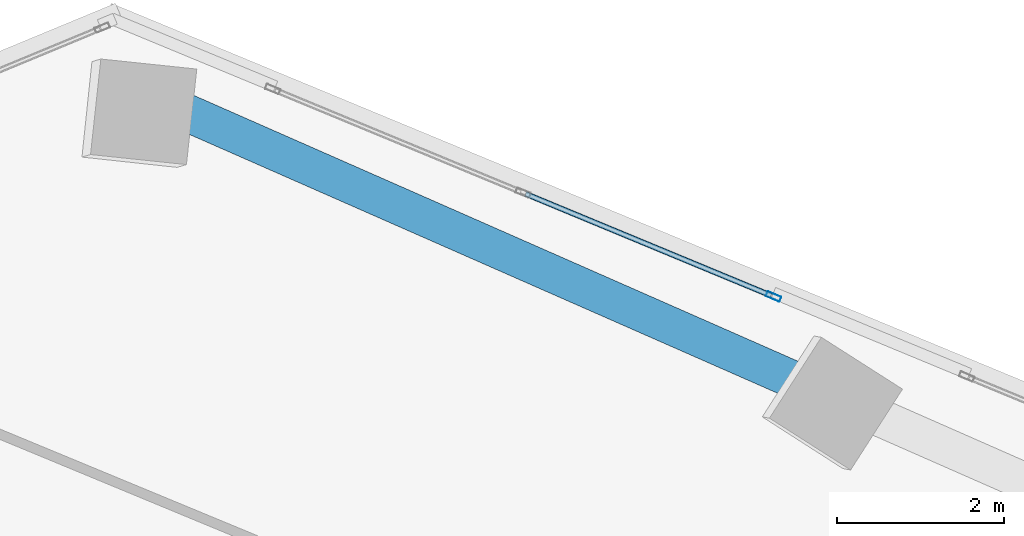
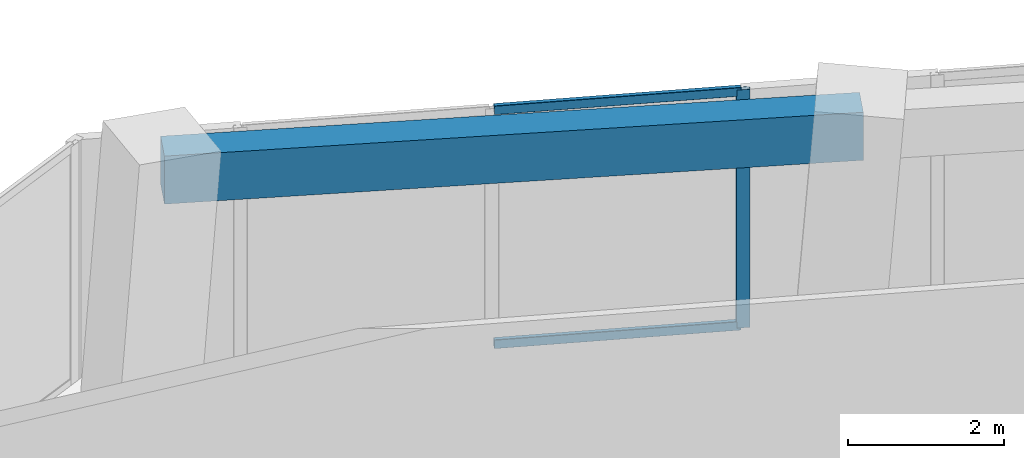
# One storey, part 13 of 23: 3 members, 1 beam, 1 element without a shape of its own.
"""IFC4 building model written with IfcOpenShell, lengths in metres."""

import ifcopenshell
import ifcopenshell.guid

model = None  # the IFC model being written
_history = None  # IfcOwnerHistory: only IFC2X3 demands one
_inside = {}  # id of a spatial element -> (the spatial element, [elements in it])
_under = {}  # id of a project, library or spatial element -> (it, [spatial elements below it])
_declared = {}  # id of a project -> (the project, [libraries it declares])
_typed = {}  # id of a type object -> (the type object, [elements of that type])
_made_of = {}  # id of a material, layer set ... -> (it, [elements and type objects made of it])


def new_model(schema):
    """Start an empty IFC model of exactly this schema.

    Asked for "IFC4X3", IfcOpenShell would pick the latest addendum, in which some entities
    have other attributes; the version numbers below select the first issue.
    IFC2X3 requires an IfcOwnerHistory on every rooted entity: one is made here for all.
    """
    global model, _history
    if schema == "IFC4X3":
        model = ifcopenshell.file(schema_version=(4, 3, 0, 0))
    else:
        model = ifcopenshell.file(schema=schema)
    _inside.clear()
    _under.clear()
    _declared.clear()
    _typed.clear()
    _made_of.clear()
    _history = None
    if model.schema == "IFC2X3":
        org = make("IfcOrganization", Name="unknown")
        user = make(
            "IfcPersonAndOrganization",
            ThePerson=make("IfcPerson", FamilyName="unknown"),
            TheOrganization=org,
        )
        app = make(
            "IfcApplication",
            ApplicationDeveloper=org,
            Version="unknown",
            ApplicationFullName="unknown",
            ApplicationIdentifier="unknown",
        )
        _history = make(
            "IfcOwnerHistory",
            OwningUser=user,
            OwningApplication=app,
            ChangeAction="ADDED",
            CreationDate=0,
        )
    return model


def make(cls, **values):
    """One entity of the class cls with the attributes given. An attribute that is None is left unset."""
    return model.create_entity(
        cls, **{name: value for name, value in values.items() if value is not None}
    )


def rooted(cls, **values):
    """An entity with a GlobalId (a new one), such as an element, a storey or a relation."""
    return make(cls, GlobalId=ifcopenshell.guid.new(), OwnerHistory=_history, **values)


def si_unit(unit_type, name, prefix=None):
    """IfcSIUnit, for example si_unit("LENGTHUNIT", "METRE", prefix="MILLI")."""
    return make("IfcSIUnit", UnitType=unit_type, Prefix=prefix, Name=name)


def assignment(units):
    """IfcUnitAssignment: the units of a project."""
    return None if units is None else make("IfcUnitAssignment", Units=units)


def point(xyz):
    """IfcCartesianPoint."""
    return None if xyz is None else make("IfcCartesianPoint", Coordinates=xyz)


def direction(xyz):
    """IfcDirection."""
    return None if xyz is None else make("IfcDirection", DirectionRatios=xyz)


def frame(location, z_axis=None, x_axis=None):
    """IfcAxis2Placement3D, a coordinate frame: its origin and axes. An axis left out is left unset."""
    return make(
        "IfcAxis2Placement3D",
        Location=point(location),
        Axis=direction(z_axis),
        RefDirection=direction(x_axis),
    )


def frame_2d(location, x_axis=None):
    """IfcAxis2Placement2D, a coordinate frame in the plane: its origin and x axis."""
    return make(
        "IfcAxis2Placement2D", Location=point(location), RefDirection=direction(x_axis)
    )


def origin():
    """The frame at (0, 0, 0) with its axes left unset."""
    return frame((0.0, 0.0, 0.0))


def origin_2d():
    """The frame at (0, 0) in the plane with its x axis left unset."""
    return frame_2d((0.0, 0.0))


def place(relative_to, where):
    """IfcLocalPlacement: puts the frame where relative to a parent placement (None: the world)."""
    return make(
        "IfcLocalPlacement", PlacementRelTo=relative_to, RelativePlacement=where
    )


def context(
    kind, dimensions, precision=None, world=None, true_north=None, identifier=None
):
    """IfcGeometricRepresentationContext, for example the 3D "Model" context."""
    return make(
        "IfcGeometricRepresentationContext",
        ContextIdentifier=identifier,
        ContextType=kind,
        CoordinateSpaceDimension=dimensions,
        Precision=precision,
        WorldCoordinateSystem=world,
        TrueNorth=true_north,
    )


def subcontext(parent, identifier, kind, view, scale=None):
    """IfcGeometricRepresentationSubContext, for example "Body" below "Model"."""
    return make(
        "IfcGeometricRepresentationSubContext",
        ContextIdentifier=identifier,
        ContextType=kind,
        ParentContext=parent,
        TargetScale=scale,
        TargetView=view,
    )


def project(units=None, contexts=None):
    """IfcProject with its units and contexts."""
    return rooted(
        "IfcProject",
        Name="project",
        RepresentationContexts=contexts,
        UnitsInContext=assignment(units),
    )


def spatial(cls, under=None, at=None, **own):
    """A site, building, storey or space (cls), placed at a placement, below another one or the project."""
    s = rooted(cls, ObjectPlacement=at, **own)
    if under is not None:
        _under.setdefault(under.id(), (under, []))[1].append(s)
    return s


def profile(cls, at=None, kind="AREA", **sizes):
    """A parametric profile (cls). Its sizes go by their IFC names, for example OverallWidth=200.0."""
    return make(cls, ProfileType=kind, Position=at, **sizes)


def rectangle(**sizes):
    """IfcRectangleProfileDef."""
    return profile("IfcRectangleProfileDef", **sizes)


def hollow_rectangle(**sizes):
    """IfcRectangleHollowProfileDef."""
    return profile("IfcRectangleHollowProfileDef", **sizes)


def extrude(swept, where, along, depth):
    """IfcExtrudedAreaSolid: the profile swept, set in the frame where, extruded along a direction by depth."""
    return make(
        "IfcExtrudedAreaSolid",
        SweptArea=swept,
        Position=where,
        ExtrudedDirection=direction(along),
        Depth=depth,
    )


def shape(context_of_items, identifier, shape_type, items):
    """IfcShapeRepresentation: the items that make up one representation, for example the "Body"."""
    return make(
        "IfcShapeRepresentation",
        ContextOfItems=context_of_items,
        RepresentationIdentifier=identifier,
        RepresentationType=shape_type,
        Items=items,
    )


def source(mapping_origin, context_of_items, identifier, shape_type, items):
    """IfcRepresentationMap: a shape defined once, which mapped items show again and again."""
    return make(
        "IfcRepresentationMap",
        MappingOrigin=mapping_origin,
        MappedRepresentation=shape(context_of_items, identifier, shape_type, items),
    )


def transform(
    local_origin,
    x_axis=None,
    y_axis=None,
    z_axis=None,
    scale=None,
    scale2=None,
    scale3=None,
    uniform=True,
):
    """IfcCartesianTransformationOperator3D, or its non-uniform kind. x_axis, y_axis, z_axis: its Axis1, 2, 3."""
    if uniform:
        return make(
            "IfcCartesianTransformationOperator3D",
            Axis1=direction(x_axis),
            Axis2=direction(y_axis),
            LocalOrigin=point(local_origin),
            Scale=scale,
            Axis3=direction(z_axis),
        )
    return make(
        "IfcCartesianTransformationOperator3DnonUniform",
        Axis1=direction(x_axis),
        Axis2=direction(y_axis),
        LocalOrigin=point(local_origin),
        Scale=scale,
        Axis3=direction(z_axis),
        Scale2=scale2,
        Scale3=scale3,
    )


def mapped(mapping_source, mapping_target):
    """IfcMappedItem: shows the shape of a source again, moved by a transform."""
    return make(
        "IfcMappedItem", MappingSource=mapping_source, MappingTarget=mapping_target
    )


def material(Name=None, Category=None):
    """IfcMaterial."""
    return make("IfcMaterial", Name=Name, Category=Category)


def material_profile(
    of_material, cross_section, Name=None, Category=None, Priority=None
):
    """IfcMaterialProfile: a cross section and its material."""
    return make(
        "IfcMaterialProfile",
        Name=Name,
        Material=of_material,
        Profile=cross_section,
        Priority=Priority,
        Category=Category,
    )


def profile_set(profiles, Name=None, composite=None):
    """IfcMaterialProfileSet."""
    return make(
        "IfcMaterialProfileSet",
        Name=Name,
        MaterialProfiles=profiles,
        CompositeProfile=composite,
    )


def made_of(thing, what):
    """Note that an element or type object is made of a material, layer set ...; save() writes the relation."""
    if what is not None:
        _made_of.setdefault(what.id(), (what, []))[1].append(thing)
    return thing


def type_object(cls, material=None, **own):
    """A type object (cls), such as IfcWallType, which elements share."""
    return made_of(rooted(cls, **own), material)


def element(
    cls,
    number,
    at=None,
    inside=None,
    cuts=None,
    type_object=None,
    material=None,
    context=None,
    identifier="Body",
    shape_type=None,
    held_by="IfcProductDefinitionShape",
    body=None,
    shapes=None,
    **own,
):
    """One element of the class cls, such as IfcWall. Its Tag is "e" and its number.

    at: its placement. inside: the storey or other place that contains it. cuts: it is an
    opening in that element (IfcRelVoidsElement). A single representation is given by context,
    identifier, shape_type and body (its items); several are given by shapes. held_by: the class
    of the entity that holds the representations. save() writes the other relations.
    """
    e = rooted(cls, Tag="e%d" % number, ObjectPlacement=at, **own)
    if body is not None:
        shapes = [shape(context, identifier, shape_type, body)]
    if shapes is not None:
        e.Representation = make(held_by, Representations=shapes)
    if inside is not None:
        _inside.setdefault(inside.id(), (inside, []))[1].append(e)
    if cuts is not None:
        rooted(
            "IfcRelVoidsElement", RelatingBuildingElement=cuts, RelatedOpeningElement=e
        )
    if type_object is not None:
        _typed.setdefault(type_object.id(), (type_object, []))[1].append(e)
    return made_of(e, material)


def aggregate(whole, parts):
    """IfcRelAggregates: a whole, such as a stair, and the parts it consists of."""
    return rooted("IfcRelAggregates", RelatingObject=whole, RelatedObjects=parts)


def save(model, path):
    """Write the relations noted so far, then the file.

    IfcRelAggregates (storeys below a building ...), IfcRelContainedInSpatialStructure (elements
    in a storey), IfcRelDefinesByType, IfcRelAssociatesMaterial and IfcRelDeclares: one each for
    every whole, place, type object, material and project.
    """
    for whole, parts in _under.values():
        aggregate(whole, parts)
    for where, things in _inside.values():
        rooted(
            "IfcRelContainedInSpatialStructure",
            RelatedElements=things,
            RelatingStructure=where,
        )
    for kind, things in _typed.values():
        rooted("IfcRelDefinesByType", RelatedObjects=things, RelatingType=kind)
    for what, things in _made_of.values():
        rooted("IfcRelAssociatesMaterial", RelatedObjects=things, RelatingMaterial=what)
    for by, libraries in _declared.values():
        rooted("IfcRelDeclares", RelatingContext=by, RelatedDefinitions=libraries)
    model.write(path)


model = new_model("IFC4")

# Units and contexts
model_context = context("Model", 3, precision=1e-05, world=origin(), true_north=direction((0.0, 1.0)))
body_context = subcontext(model_context, "Body", "Model", "MODEL_VIEW")
ifc_project = project(units=[si_unit("LENGTHUNIT", "METRE"), si_unit("AREAUNIT", "SQUARE_METRE"), si_unit("VOLUMEUNIT", "CUBIC_METRE"), si_unit("PLANEANGLEUNIT", "RADIAN"), si_unit("MASSUNIT", "GRAM", prefix="KILO")], contexts=[model_context])

# Site, building, storey
site_placement = place(None, origin())
site = spatial("IfcSite", under=ifc_project, at=site_placement, CompositionType="ELEMENT")
building_placement = place(site_placement, origin())
building = spatial("IfcBuilding", under=site, at=building_placement, Name="Torre Montelarca", CompositionType="ELEMENT")
storey_placement = place(building_placement, frame((0.0, 0.0, 145.60009765625)))
storey = spatial("IfcBuildingStorey", under=building, at=storey_placement, Name="L32", CompositionType="ELEMENT", Elevation=145.60009765625)

# Beam
ifc_material_1 = material(Name="Concrete C55/67", Category="concrete")
ifc_material_profile_1 = material_profile(ifc_material_1, rectangle(XDim=0.449951171875, YDim=0.75, at=origin_2d()), Name="RCB450X750", Category="concrete")
ifc_profile_set_1 = profile_set([ifc_material_profile_1], Name="Concrete C55/67")
beam_type = type_object("IfcBeamType", Name="BM-SP-RC750-EXT", PredefinedType="SPANDREL", material=ifc_profile_set_1)
shared_shape_1 = source(origin(), body_context, "Body", "SweptSolid", [
    extrude(rectangle(XDim=0.449951171875, YDim=0.75, at=origin_2d()), origin(), (0.0, 0.0, 1.0), 9.0),
])
beam_placement = place(storey_placement, frame((16.16015625, 50.9013671875, 3.5849609375), z_axis=(0.915309832452, -0.402750432174, 0.0), x_axis=(0.402750432174, 0.915309832452, 0.0)))
element("IfcBeam", 1, at=beam_placement, inside=storey, type_object=beam_type, Name="L32 Grid Girder X 9.0-18.0 at Y=47.1", PredefinedType="SPANDREL", context=body_context, shape_type="MappedRepresentation", body=[
    mapped(shared_shape_1, transform((0.0, 0.0, 0.0), scale=1.0)),
])

# Curtain wall, members
ifc_material_2 = material(Name="Insulated low-E laminated glass", Category="glass")
curtain_wall_type = type_object("IfcCurtainWallType", Name="CW-SYS-Z2", PredefinedType="USERDEFINED", material=ifc_material_2)
curtain_wall_placement = place(storey_placement, origin())
curtain_wall = element("IfcCurtainWall", 2, at=curtain_wall_placement, inside=storey, type_object=curtain_wall_type, Name="L32 Curtain Wall Run CW-T3-L32-E08-B4", ObjectType="UNITISED GLAZING", PredefinedType="USERDEFINED")
ifc_material_3 = material(Name="Anodised aluminium AA 6063-T6", Category="aluminium")
ifc_material_profile_2 = material_profile(ifc_material_3, hollow_rectangle(XDim=0.06494140625, YDim=0.179931640625, WallThickness=0.00390625, InnerFilletRadius=0.00390625, OuterFilletRadius=0.008056640625, at=origin_2d()), Name="ALU65X180X4", Category="aluminium")
ifc_profile_set_2 = profile_set([ifc_material_profile_2], Name="Anodised aluminium AA 6063-T6")
member_type_1 = type_object("IfcMemberType", Name="CWM-ALU180", PredefinedType="MULLION", material=ifc_profile_set_2)
shared_shape_2 = source(origin(), body_context, "Body", "SweptSolid", [
    extrude(hollow_rectangle(XDim=0.06494140625, YDim=0.179931640625, WallThickness=0.00390625, InnerFilletRadius=0.00390625, OuterFilletRadius=0.008056640625, at=origin_2d()), origin(), (0.0, 0.0, 1.0), 3.719970703125),
])
member_1_placement = place(storey_placement, frame((23.411376953125, 48.602294921875, 0.0), z_axis=(0.0, 0.0, 1.0), x_axis=(-0.382683607577, -0.923879459936, 0.0)))
member_1 = element("IfcMember", 3, at=member_1_placement, type_object=member_type_1, Name="CW mullion 1", PredefinedType="MULLION", context=body_context, shape_type="MappedRepresentation", body=[
    mapped(shared_shape_2, transform((0.0, 0.0, 0.0), scale=1.0)),
])
ifc_material_profile_3 = material_profile(ifc_material_3, hollow_rectangle(XDim=0.06494140625, YDim=0.139892578125, WallThickness=0.00390625, InnerFilletRadius=0.00390625, OuterFilletRadius=0.008056640625, at=origin_2d()), Name="ALU65X140X4", Category="aluminium")
ifc_profile_set_3 = profile_set([ifc_material_profile_3], Name="Anodised aluminium AA 6063-T6")
member_type_2 = type_object("IfcMemberType", Name="CWT-ALU140", PredefinedType="USERDEFINED", material=ifc_profile_set_3)
shared_shape_3 = source(origin(), body_context, "Body", "SweptSolid", [
    extrude(hollow_rectangle(XDim=0.06494140625, YDim=0.139892578125, WallThickness=0.00390625, InnerFilletRadius=0.00390625, OuterFilletRadius=0.008056640625, at=origin_2d()), origin(), (0.0, 0.0, 1.0), 3.1806640625),
])
member_2_placement = place(storey_placement, frame((23.38134765625, 48.61474609375, 0.032470703125), z_axis=(-0.923865269014, 0.382717865678, 0.0), x_axis=(-0.382717865678, -0.923865269014, 0.0)))
member_2 = element("IfcMember", 4, at=member_2_placement, type_object=member_type_2, Name="CW transom 1.1", ObjectType="TRANSOM", PredefinedType="USERDEFINED", context=body_context, shape_type="MappedRepresentation", body=[
    mapped(shared_shape_3, transform((0.0, 0.0, 0.0), scale=1.0)),
])
member_3_placement = place(storey_placement, frame((23.38134765625, 48.61474609375, 3.6875), z_axis=(-0.923865269014, 0.382717865678, 0.0), x_axis=(-0.382717865678, -0.923865269014, 0.0)))
member_3 = element("IfcMember", 5, at=member_3_placement, type_object=member_type_2, Name="CW transom 1.2", ObjectType="TRANSOM", PredefinedType="USERDEFINED", context=body_context, shape_type="MappedRepresentation", body=[
    mapped(shared_shape_3, transform((0.0, 0.0, 0.0), scale=1.0)),
])
aggregate(curtain_wall, [member_1, member_2, member_3])

save(model, "model.ifc")
